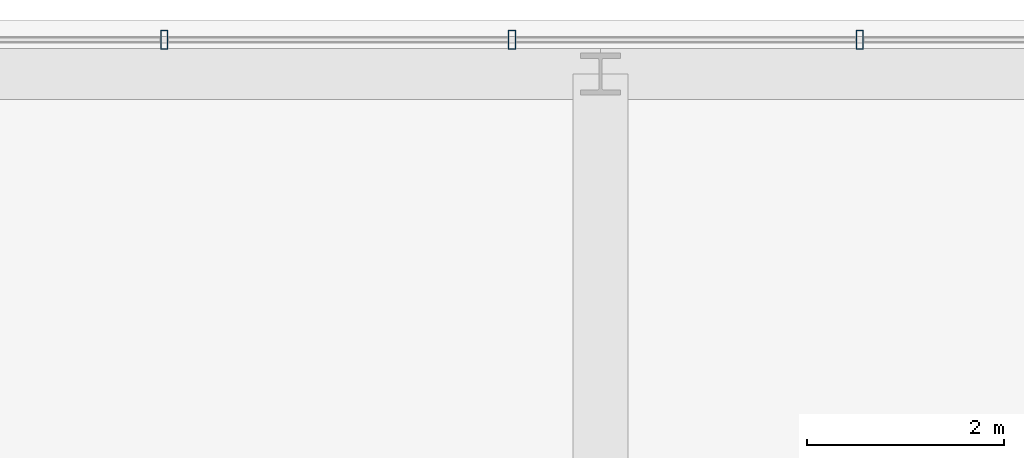
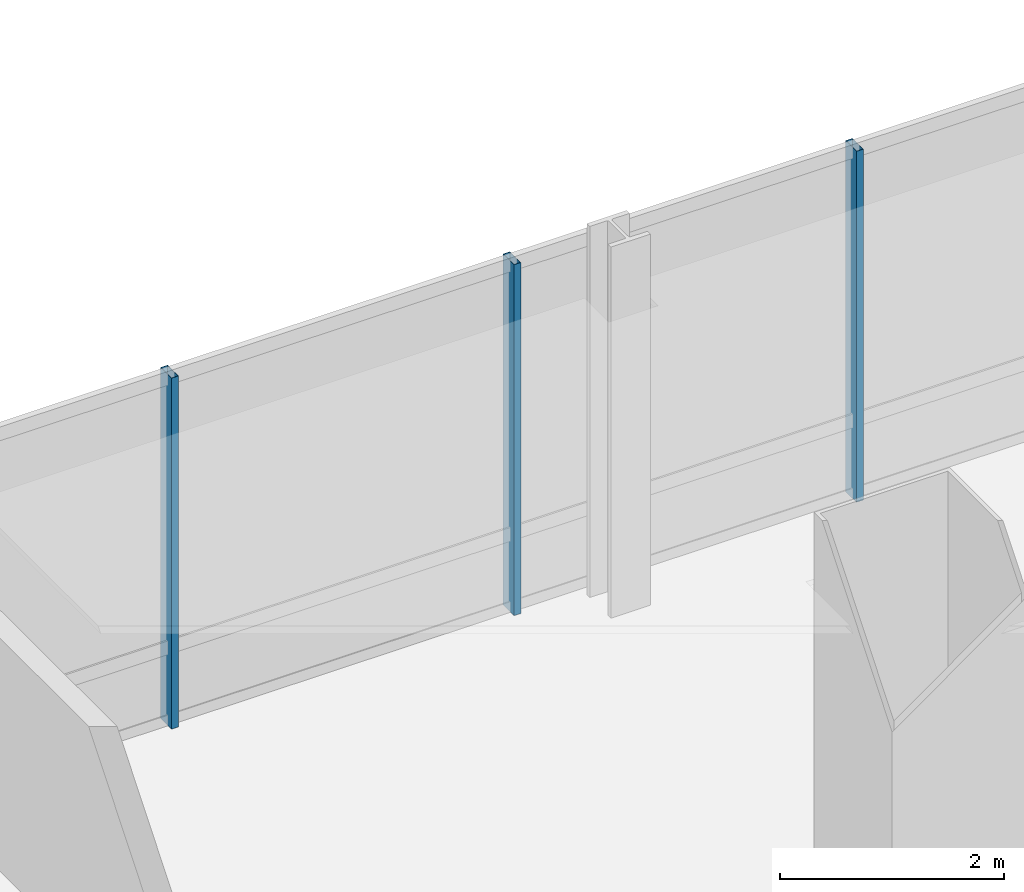
# One storey, part 25 of 37: 3 members, 1 element without a shape of its own.
"""IFC4 building model written with IfcOpenShell, lengths in metres."""

from ifc_helpers import new_model, si_unit, direction, frame, origin, origin_2d, place, context, subcontext, project, spatial, hollow_rectangle, extrude, material, material_profile, profile_set, type_object, element, aggregate, save


model = new_model("IFC4")

# Units and contexts
model_context = context("Model", 3, precision=1e-05, world=origin(), true_north=direction((0.0, 1.0)))
body_context = subcontext(model_context, "Body", "Model", "MODEL_VIEW")
ifc_project = project(units=[si_unit("LENGTHUNIT", "METRE"), si_unit("AREAUNIT", "SQUARE_METRE"), si_unit("VOLUMEUNIT", "CUBIC_METRE"), si_unit("PLANEANGLEUNIT", "RADIAN"), si_unit("MASSUNIT", "GRAM", prefix="KILO")], contexts=[model_context])

# Site, building, storey
site_placement = place(None, origin())
site = spatial("IfcSite", under=ifc_project, at=site_placement, CompositionType="ELEMENT")
building_placement = place(site_placement, origin())
building = spatial("IfcBuilding", under=site, at=building_placement, Name="Punatoya Terracotta Tower", CompositionType="ELEMENT")
storey_placement = place(building_placement, frame((0.0, 0.0, 164.10009765625)))
storey = spatial("IfcBuildingStorey", under=building, at=storey_placement, Name="L38", CompositionType="ELEMENT", Elevation=164.10009765625)

# Curtain wall, members
ifc_material_1 = material(Name="Aluminium 6063-T6 + Double Low-E Glass", Category="aluminium")
curtain_wall_type = type_object("IfcCurtainWallType", Name="CW-M2", PredefinedType="NOTDEFINED", material=ifc_material_1)
curtain_wall_placement = place(storey_placement, origin())
curtain_wall = element("IfcCurtainWall", 1, at=curtain_wall_placement, inside=storey, type_object=curtain_wall_type, Name="L38 Curtain Wall CW-L38-N09-1", PredefinedType="NOTDEFINED")
ifc_material_2 = material(Name="Aluminium 6063-T6", Category="aluminium")
ifc_material_profile = material_profile(ifc_material_2, hollow_rectangle(XDim=0.072021484375, YDim=0.195068359375, WallThickness=0.00439453125, at=origin_2d()))
ifc_profile_set = profile_set([ifc_material_profile], Name="Aluminium 6063-T6")
member_type = type_object("IfcMemberType", Name="CW-MUL-M2", PredefinedType="MULLION", material=ifc_profile_set)
member_1_placement = place(storey_placement, frame((6.43505859375, 23.25, 0.0), z_axis=(0.0, 0.0, 1.0), x_axis=(1.0, 0.0, 0.0)))
member_1 = element("IfcMember", 2, at=member_1_placement, type_object=member_type, Name="CW-L38-N09-1 Mullion 03", PredefinedType="MULLION", context=body_context, shape_type="SweptSolid", body=[
    extrude(hollow_rectangle(XDim=0.072021484375, YDim=0.195068359375, WallThickness=0.00439453125, at=origin_2d()), origin(), (0.0, 0.0, 1.0), 3.829833984375),
])
member_2_placement = place(storey_placement, frame((2.90087890625, 23.25, 0.0), z_axis=(0.0, 0.0, 1.0), x_axis=(1.0, 0.0, 0.0)))
member_2 = element("IfcMember", 3, at=member_2_placement, type_object=member_type, Name="CW-L38-N09-1 Mullion 04", PredefinedType="MULLION", context=body_context, shape_type="SweptSolid", body=[
    extrude(hollow_rectangle(XDim=0.072021484375, YDim=0.195068359375, WallThickness=0.00439453125, at=origin_2d()), origin(), (0.0, 0.0, 1.0), 3.829833984375),
])
member_3_placement = place(storey_placement, frame((-0.633056640625, 23.25, 0.0), z_axis=(0.0, 0.0, 1.0), x_axis=(1.0, 0.0, 0.0)))
member_3 = element("IfcMember", 4, at=member_3_placement, type_object=member_type, Name="CW-L38-N09-1 Mullion 05", PredefinedType="MULLION", context=body_context, shape_type="SweptSolid", body=[
    extrude(hollow_rectangle(XDim=0.072021484375, YDim=0.195068359375, WallThickness=0.00439453125, at=origin_2d()), origin(), (0.0, 0.0, 1.0), 3.829833984375),
])
aggregate(curtain_wall, [member_1, member_2, member_3])

save(model, "model.ifc")
